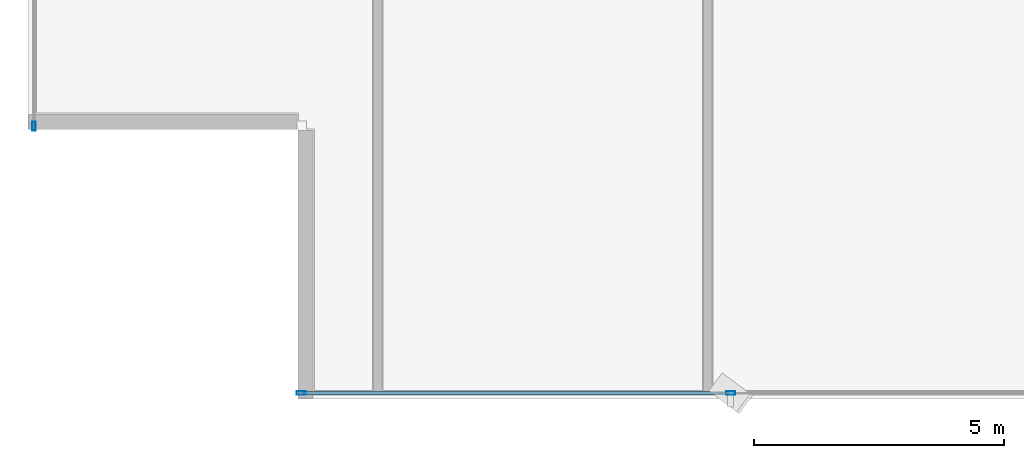
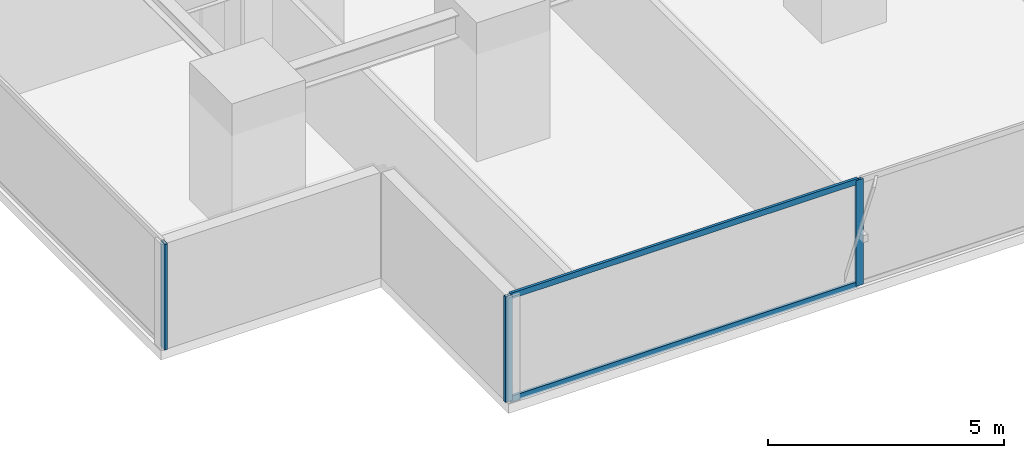
# One storey, part 2 of 33: 5 members, 2 elements without a shape of their own.
"""IFC4 building model written with IfcOpenShell, lengths in metres."""

from ifc_helpers import new_model, si_unit, direction, frame, origin, origin_2d, place, context, subcontext, project, spatial, hollow_rectangle, extrude, source, transform, mapped, material, layer, layer_set, material_profile, profile_set, type_object, element, aggregate, save


model = new_model("IFC4")

# Units and contexts
model_context = context("Model", 3, precision=1e-05, world=origin(), true_north=direction((0.0, 1.0)))
body_context = subcontext(model_context, "Body", "Model", "MODEL_VIEW")
ifc_project = project(units=[si_unit("LENGTHUNIT", "METRE"), si_unit("AREAUNIT", "SQUARE_METRE"), si_unit("VOLUMEUNIT", "CUBIC_METRE"), si_unit("PLANEANGLEUNIT", "RADIAN"), si_unit("MASSUNIT", "GRAM", prefix="KILO")], contexts=[model_context])

# Site, building, storey
site_placement = place(None, origin())
site = spatial("IfcSite", under=ifc_project, at=site_placement, CompositionType="ELEMENT")
building_placement = place(site_placement, origin())
building = spatial("IfcBuilding", under=site, at=building_placement, Name="Sumidabori Civic Tower", CompositionType="ELEMENT")
storey_placement = place(building_placement, frame((0.0, 0.0, 59.60009765625)))
storey = spatial("IfcBuildingStorey", under=building, at=storey_placement, Name="L15", CompositionType="ELEMENT", Elevation=59.60009765625)

# Curtain wall, members
ifc_material = material(Name="Anodised Bronze Aluminium AW-6063-T6", Category="aluminium")
ifc_layer = layer(ifc_material, 0.179931640625, Name="Anodised Bronze Aluminium AW-6063-T6")
ifc_layer_set = layer_set([ifc_layer], Name="Anodised Bronze Aluminium AW-6063-T6")
curtain_wall_type = type_object("IfcCurtainWallType", Name="CW-SYS-2", PredefinedType="NOTDEFINED", material=ifc_layer_set)
curtain_wall_1_placement = place(storey_placement, origin())
curtain_wall_1 = element("IfcCurtainWall", 1, at=curtain_wall_1_placement, inside=storey, type_object=curtain_wall_type, Name="Curtain Wall CW:L15:R01", PredefinedType="NOTDEFINED")
ifc_material_profile_1 = material_profile(ifc_material, hollow_rectangle(XDim=0.070068359375, YDim=0.179931640625, WallThickness=0.006103515625, at=origin_2d()), Name="ALU MULLION 180x70")
ifc_profile_set_1 = profile_set([ifc_material_profile_1], Name="Anodised Bronze Aluminium AW-6063-T6")
member_type_1 = type_object("IfcMemberType", Name="CW-MUL-180", PredefinedType="MULLION", material=ifc_profile_set_1)
shared_shape_1 = source(origin(), body_context, "Body", "SweptSolid", [
    extrude(hollow_rectangle(XDim=0.070068359375, YDim=0.179931640625, WallThickness=0.006103515625, at=origin_2d()), origin(), (0.0, 0.0, 1.0), 2.739990234375),
])
member_1_placement = place(storey_placement, frame((-21.534912109375, -26.8798828125, 0.0), z_axis=(0.0, 0.0, 1.0), x_axis=(0.0, 1.0, 0.0)))
member_1 = element("IfcMember", 2, at=member_1_placement, type_object=member_type_1, Name="CW-2 mullion 1", PredefinedType="MULLION", context=body_context, shape_type="MappedRepresentation", body=[
    mapped(shared_shape_1, transform((0.0, 0.0, 0.0), x_axis=(1.0, 0.0, 0.0), y_axis=(0.0, 1.0, 0.0), z_axis=(0.0, 0.0, 1.0), scale=1.0)),
])
member_2_placement = place(storey_placement, frame((-12.94189453125, -26.8798828125, 0.0), z_axis=(0.0, 0.0, 1.0), x_axis=(0.0, 1.0, 0.0)))
member_2 = element("IfcMember", 3, at=member_2_placement, type_object=member_type_1, Name="CW-2 mullion 2", PredefinedType="MULLION", context=body_context, shape_type="MappedRepresentation", body=[
    mapped(shared_shape_1, transform((0.0, 0.0, 0.0), x_axis=(1.0, 0.0, 0.0), y_axis=(0.0, 1.0, 0.0), z_axis=(0.0, 0.0, 1.0), scale=1.0)),
])

# Curtain wall, member
curtain_wall_2_placement = place(storey_placement, origin())
curtain_wall_2 = element("IfcCurtainWall", 4, at=curtain_wall_2_placement, inside=storey, type_object=curtain_wall_type, Name="Curtain Wall CW:L15:R10", PredefinedType="NOTDEFINED")
member_3_placement = place(storey_placement, frame((-26.8798828125, -21.534912109375, 0.0), z_axis=(0.0, 0.0, 1.0), x_axis=(1.0, 0.0, 0.0)))
member_3 = element("IfcMember", 5, at=member_3_placement, type_object=member_type_1, Name="CW-2 mullion 6", PredefinedType="MULLION", context=body_context, shape_type="MappedRepresentation", body=[
    mapped(shared_shape_1, transform((0.0, 0.0, 0.0), x_axis=(1.0, 0.0, 0.0), y_axis=(0.0, 1.0, 0.0), z_axis=(0.0, 0.0, 1.0), scale=1.0)),
])
aggregate(curtain_wall_2, [member_3])

# Member
ifc_material_profile_2 = material_profile(ifc_material, hollow_rectangle(XDim=0.06494140625, YDim=0.14990234375, WallThickness=0.0048828125, at=origin_2d()), Name="ALU TRANSOM 150x65")
ifc_profile_set_2 = profile_set([ifc_material_profile_2], Name="Anodised Bronze Aluminium AW-6063-T6")
member_type_2 = type_object("IfcMemberType", Name="CW-TRN-150", PredefinedType="USERDEFINED", material=ifc_profile_set_2)
shared_shape_2 = source(origin(), body_context, "Body", "SweptSolid", [
    extrude(hollow_rectangle(XDim=0.06494140625, YDim=0.14990234375, WallThickness=0.0048828125, at=origin_2d()), origin(), (0.0, 0.0, 1.0), 8.52294921875),
])
member_4_placement = place(storey_placement, frame((-21.5, -26.8798828125, 0.032470703125), z_axis=(1.0, 0.0, 0.0), x_axis=(0.0, 1.0, 0.0)))
member_4 = element("IfcMember", 6, at=member_4_placement, type_object=member_type_2, Name="CW-2 transom 1.1", ObjectType="TRANSOM", PredefinedType="USERDEFINED", context=body_context, shape_type="MappedRepresentation", body=[
    mapped(shared_shape_2, transform((0.0, 0.0, 0.0), x_axis=(1.0, 0.0, 0.0), y_axis=(0.0, 1.0, 0.0), z_axis=(0.0, 0.0, 1.0), scale=1.0)),
])

member_5_placement = place(storey_placement, frame((-21.5, -26.8798828125, 2.70751953125), z_axis=(1.0, 0.0, 0.0), x_axis=(0.0, 1.0, 0.0)))
member_5 = element("IfcMember", 7, at=member_5_placement, type_object=member_type_2, Name="CW-2 transom 1.2", ObjectType="TRANSOM", PredefinedType="USERDEFINED", context=body_context, shape_type="MappedRepresentation", body=[
    mapped(shared_shape_2, transform((0.0, 0.0, 0.0), x_axis=(1.0, 0.0, 0.0), y_axis=(0.0, 1.0, 0.0), z_axis=(0.0, 0.0, 1.0), scale=1.0)),
])

aggregate(curtain_wall_1, [member_1, member_2, member_4, member_5])

save(model, "model.ifc")
